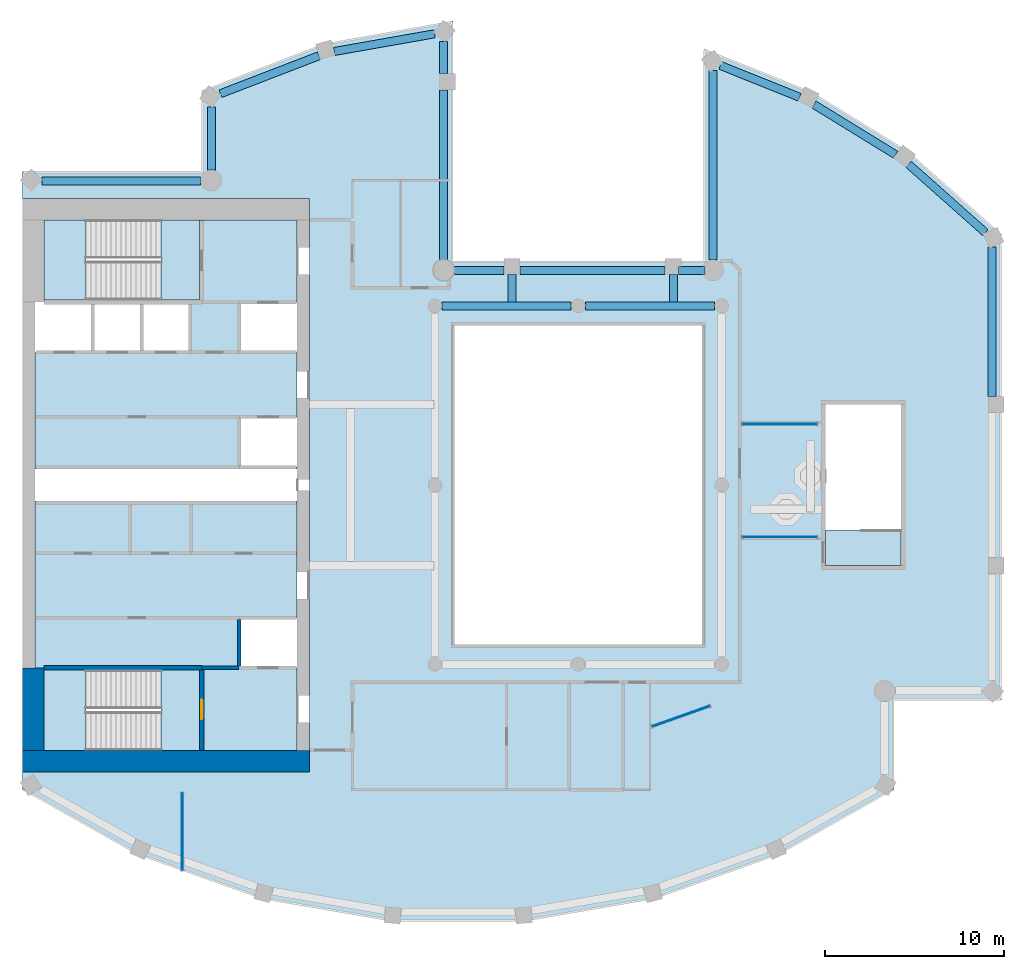
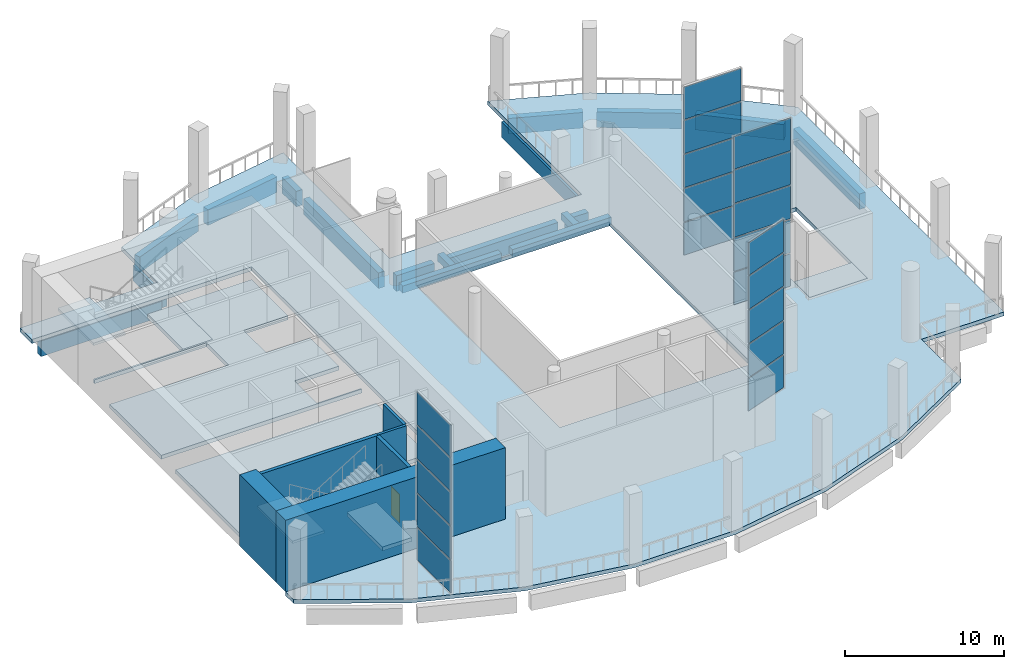
# One storey, part 4 of 12: 20 plates, 18 beams, 8 slabs, 6 walls, 1 door, 1 opening, 6 elements without a shape of their own.
"""IFC4 building model written with IfcOpenShell, lengths in metres."""

from ifc_helpers import new_model, si_unit, direction, frame, frame_2d, origin, origin_2d, place, context, subcontext, project, spatial, polyline, rectangle, outline, extrude, material, layer, layer_set, material_profile, profile_set, type_object, element, fill, aggregate, save


model = new_model("IFC4")

# Units and contexts
model_context = context("Model", 3, precision=1e-05, world=origin(), true_north=direction((0.0, 1.0)))
body_context = subcontext(model_context, "Body", "Model", "MODEL_VIEW")
ifc_project = project(units=[si_unit("LENGTHUNIT", "METRE"), si_unit("AREAUNIT", "SQUARE_METRE"), si_unit("VOLUMEUNIT", "CUBIC_METRE"), si_unit("PLANEANGLEUNIT", "RADIAN"), si_unit("MASSUNIT", "GRAM", prefix="KILO")], contexts=[model_context])

# Site, building, storey
site_placement = place(None, origin())
site = spatial("IfcSite", under=ifc_project, at=site_placement, CompositionType="ELEMENT")
building_placement = place(site_placement, origin())
building = spatial("IfcBuilding", under=site, at=building_placement, Name="Cypress Arch Tower", CompositionType="ELEMENT")
storey_placement = place(building_placement, frame((0.0, 0.0, 329.5)))
storey = spatial("IfcBuildingStorey", under=building, at=storey_placement, Name="L75", CompositionType="ELEMENT", Elevation=329.5)

# Beams
ifc_material_1 = material(Name="Concrete C50/60", Category="concrete")
ifc_material_profile_1 = material_profile(ifc_material_1, rectangle(XDim=0.449951171875, YDim=0.550048828125, at=origin_2d()), Name="RC 450x550")
ifc_profile_set_1 = profile_set([ifc_material_profile_1], Name="Concrete C50/60")
beam_type_1 = type_object("IfcBeamType", Name="Floor beam RC 450x550 Concrete C50/60", PredefinedType="BEAM", material=ifc_profile_set_1)
for number, where, z_axis, x_axis, name in (
    (1, (-6.60009765625, 10.0, -0.574951171875), (1.0, 0.0, 0.0), (0.0, 1.0, 0.0), "Floor beam L75 RB007"),
    (2, (1.39990234375, 10.0, -0.574951171875), (1.0, 0.0, 0.0), (0.0, 1.0, 0.0), "Floor beam L75 RB008"),
):
    element("IfcBeam", number, at=place(storey_placement, frame(where, z_axis=z_axis, x_axis=x_axis)), inside=storey, type_object=beam_type_1, Name=name, PredefinedType="BEAM", context=body_context, shape_type="SweptSolid", body=[
        extrude(rectangle(XDim=0.449951171875, YDim=0.550048828125, at=origin_2d()), origin(), (0.0, 0.0, 1.0), 7.2001953125),
    ])
for number, where, z_axis, x_axis, name in (
    (3, (-2.699951171875, 10.22509765625, -0.574951171875), (0.0, 1.0, 0.0), (-1.0, 0.0, 0.0), "Floor beam L75 FB012"),
    (4, (6.300048828125, 10.22509765625, -0.574951171875), (0.0, 1.0, 0.0), (-1.0, 0.0, 0.0), "Floor beam L75 FB013"),
):
    element("IfcBeam", number, at=place(storey_placement, frame(where, z_axis=z_axis, x_axis=x_axis)), inside=storey, type_object=beam_type_1, Name=name, PredefinedType="BEAM", context=body_context, shape_type="SweptSolid", body=[
        extrude(rectangle(XDim=0.449951171875, YDim=0.550048828125, at=origin_2d()), origin(), (0.0, 0.0, 1.0), 1.52490234375),
    ])
ifc_material_2 = material(Name="Concrete C50/60", Category="concrete")
ifc_material_profile_2 = material_profile(ifc_material_2, rectangle(XDim=0.449951171875, YDim=1.199951171875, at=origin_2d()), Name="RC 450x1200")
ifc_profile_set_2 = profile_set([ifc_material_profile_2], Name="Concrete C50/60")
beam_type_2 = type_object("IfcBeamType", Name="Spandrel beam RC 450x1200 Concrete C50/60", PredefinedType="SPANDREL", material=ifc_profile_set_2)
beam_1_placement = place(storey_placement, frame((8.52490234375, 23.138427734375, -1.550048828125), z_axis=(0.0, -1.0, 0.0), x_axis=(1.0, 0.0, 0.0)))
element("IfcBeam", 5, at=beam_1_placement, inside=storey, type_object=beam_type_2, Name="Spandrel beam L75 BC00-0", PredefinedType="SPANDREL", context=body_context, shape_type="SweptSolid", body=[
    extrude(rectangle(XDim=0.449951171875, YDim=1.199951171875, at=origin_2d()), origin(), (0.0, 0.0, 1.0), 10.55078125),
])
beam_2_placement = place(storey_placement, frame((8.081298828125, 11.97509765625, -1.550048828125), z_axis=(-1.0, 0.0, 0.0), x_axis=(0.0, -1.0, 0.0)))
element("IfcBeam", 6, at=beam_2_placement, inside=storey, type_object=beam_type_2, Name="Spandrel beam L75 BC01-0", PredefinedType="SPANDREL", context=body_context, shape_type="SweptSolid", body=[
    extrude(rectangle(XDim=0.449951171875, YDim=1.199951171875, at=origin_2d()), origin(), (0.0, 0.0, 1.0), 1.5),
])
beam_3_placement = place(storey_placement, frame((5.85009765625, 11.97509765625, -1.550048828125), z_axis=(-1.0, 0.0, 0.0), x_axis=(0.0, -1.0, 0.0)))
element("IfcBeam", 7, at=beam_3_placement, inside=storey, type_object=beam_type_2, Name="Spandrel beam L75 BC01-1", PredefinedType="SPANDREL", context=body_context, shape_type="SweptSolid", body=[
    extrude(rectangle(XDim=0.449951171875, YDim=1.199951171875, at=origin_2d()), origin(), (0.0, 0.0, 1.0), 8.10009765625),
])
beam_4_placement = place(storey_placement, frame((-3.14990234375, 11.97509765625, -1.550048828125), z_axis=(-1.0, 0.0, 0.0), x_axis=(0.0, -1.0, 0.0)))
element("IfcBeam", 8, at=beam_4_placement, inside=storey, type_object=beam_type_2, Name="Spandrel beam L75 BC01-2", PredefinedType="SPANDREL", context=body_context, shape_type="SweptSolid", body=[
    extrude(rectangle(XDim=0.449951171875, YDim=1.199951171875, at=origin_2d()), origin(), (0.0, 0.0, 1.0), 2.762451171875),
])
beam_5_placement = place(storey_placement, frame((-6.52490234375, 12.587646484375, -1.550048828125), z_axis=(0.0, 1.0, 0.0), x_axis=(-1.0, 0.0, 0.0)))
element("IfcBeam", 9, at=beam_5_placement, inside=storey, type_object=beam_type_2, Name="Spandrel beam L75 BC02-0", PredefinedType="SPANDREL", context=body_context, shape_type="SweptSolid", body=[
    extrude(rectangle(XDim=0.449951171875, YDim=1.199951171875, at=origin_2d()), origin(), (0.0, 0.0, 1.0), 9.46240234375),
])
beam_6_placement = place(storey_placement, frame((-6.52490234375, 22.949951171875, -1.550048828125), z_axis=(0.0, 1.0, 0.0), x_axis=(-1.0, 0.0, 0.0)))
element("IfcBeam", 10, at=beam_6_placement, inside=storey, type_object=beam_type_2, Name="Spandrel beam L75 BC02-1", PredefinedType="SPANDREL", context=body_context, shape_type="SweptSolid", body=[
    extrude(rectangle(XDim=0.449951171875, YDim=1.199951171875, at=origin_2d()), origin(), (0.0, 0.0, 1.0), 1.810302734375),
])
beam_7_placement = place(storey_placement, frame((-7.021484375, 25.1767578125, -1.550048828125), z_axis=(-0.984798704294, -0.173699487682, 0.0), x_axis=(0.173699487682, -0.984798704294, 0.0)))
element("IfcBeam", 11, at=beam_7_placement, inside=storey, type_object=beam_type_2, Name="Spandrel beam L75 BC03-0", PredefinedType="SPANDREL", context=body_context, shape_type="SweptSolid", body=[
    extrude(rectangle(XDim=0.449951171875, YDim=1.199951171875, at=origin_2d()), origin(), (0.0, 0.0, 1.0), 5.678466796875),
])
beam_8_placement = place(storey_placement, frame((-13.48046875, 23.94921875, -1.550048828125), z_axis=(-0.933138853319, -0.359516175472, 0.0), x_axis=(0.359516175472, -0.933138853319, 0.0)))
element("IfcBeam", 12, at=beam_8_placement, inside=storey, type_object=beam_type_2, Name="Spandrel beam L75 BC04-0", PredefinedType="SPANDREL", context=body_context, shape_type="SweptSolid", body=[
    extrude(rectangle(XDim=0.449951171875, YDim=1.199951171875, at=origin_2d()), origin(), (0.0, 0.0, 1.0), 5.878173828125),
])
beam_9_placement = place(storey_placement, frame((-19.47509765625, 21.09375, -1.550048828125), z_axis=(0.0, -1.0, 0.0), x_axis=(1.0, 0.0, 0.0)))
element("IfcBeam", 13, at=beam_9_placement, inside=storey, type_object=beam_type_2, Name="Spandrel beam L75 BC05-0", PredefinedType="SPANDREL", context=body_context, shape_type="SweptSolid", body=[
    extrude(rectangle(XDim=0.449951171875, YDim=1.199951171875, at=origin_2d()), origin(), (0.0, 0.0, 1.0), 3.506103515625),
])
beam_10_placement = place(storey_placement, frame((-20.087646484375, 16.97509765625, -1.550048828125), z_axis=(-1.0, 0.0, 0.0), x_axis=(0.0, -1.0, 0.0)))
element("IfcBeam", 14, at=beam_10_placement, inside=storey, type_object=beam_type_2, Name="Spandrel beam L75 BC06-0", PredefinedType="SPANDREL", context=body_context, shape_type="SweptSolid", body=[
    extrude(rectangle(XDim=0.449951171875, YDim=1.199951171875, at=origin_2d()), origin(), (0.0, 0.0, 1.0), 8.828125),
])
beam_11_placement = place(storey_placement, frame((24.074951171875, 4.949951171875, -1.550048828125), z_axis=(0.0, 1.0, 0.0), x_axis=(-1.0, 0.0, 0.0)))
element("IfcBeam", 15, at=beam_11_placement, inside=storey, type_object=beam_type_2, Name="Spandrel beam L75 BC17-2", PredefinedType="SPANDREL", context=body_context, shape_type="SweptSolid", body=[
    extrude(rectangle(XDim=0.449951171875, YDim=1.199951171875, at=origin_2d()), origin(), (0.0, 0.0, 1.0), 8.32080078125),
])
beam_12_placement = place(storey_placement, frame((23.706298828125, 14.091796875, -1.550048828125), z_axis=(-0.747555073917, 0.664199827959, 0.0), x_axis=(-0.664199827959, -0.747555073917, 0.0)))
element("IfcBeam", 16, at=beam_12_placement, inside=storey, type_object=beam_type_2, Name="Spandrel beam L75 BC18-0", PredefinedType="SPANDREL", context=body_context, shape_type="SweptSolid", body=[
    extrude(rectangle(XDim=0.449951171875, YDim=1.199951171875, at=origin_2d()), origin(), (0.0, 0.0, 1.0), 5.72900390625),
])
beam_13_placement = place(storey_placement, frame((18.700927734375, 18.43359375, -1.550048828125), z_axis=(-0.851880940975, 0.523735488966, 0.0), x_axis=(-0.523735488966, -0.851880940975, 0.0)))
element("IfcBeam", 17, at=beam_13_placement, inside=storey, type_object=beam_type_2, Name="Spandrel beam L75 BC19-0", PredefinedType="SPANDREL", context=body_context, shape_type="SweptSolid", body=[
    extrude(rectangle(XDim=0.449951171875, YDim=1.199951171875, at=origin_2d()), origin(), (0.0, 0.0, 1.0), 5.344970703125),
])
beam_14_placement = place(storey_placement, frame((13.343994140625, 21.6376953125, -1.550048828125), z_axis=(-0.927944947452, 0.372717284948, 0.0), x_axis=(-0.372717284948, -0.927944947452, 0.0)))
element("IfcBeam", 18, at=beam_14_placement, inside=storey, type_object=beam_type_2, Name="Spandrel beam L75 BC20-0", PredefinedType="SPANDREL", context=body_context, shape_type="SweptSolid", body=[
    extrude(rectangle(XDim=0.449951171875, YDim=1.199951171875, at=origin_2d()), origin(), (0.0, 0.0, 1.0), 4.758056640625),
])

# Slabs
ifc_material_3 = material(Name="Concrete C40/50", Category="concrete")
ifc_layer_1 = layer(ifc_material_3, 0.300048828125)
ifc_layer_set_1 = layer_set([ifc_layer_1], Name="Core floor CF300")
slab_type_1 = type_object("IfcSlabType", Name="Core floor CF300", PredefinedType="FLOOR", material=ifc_layer_set_1)
slab_1_placement = place(storey_placement, frame((0.0, 0.0, -0.300048828125)))
element("IfcSlab", 19, at=slab_1_placement, inside=storey, type_object=slab_type_1, Name="Core floor", PredefinedType="FLOOR", context=body_context, shape_type="SweptSolid", body=[
    extrude(outline(polyline([(-28.89990234375, -10.199951171875), (-29.300048828125, -10.199951171875), (-29.300048828125, -0.89990234375), (-28.89990234375, -0.89990234375), (-15.10009765625, -0.89990234375), (-14.699951171875, -0.89990234375), (-14.699951171875, -7.39990234375), (-15.10009765625, -7.39990234375), (-17.919921875, -7.39990234375), (-17.919921875, -10.199951171875), (-15.10009765625, -10.199951171875), (-14.699951171875, -10.199951171875), (-14.699951171875, -14.800048828125), (-15.10009765625, -14.800048828125), (-20.125, -14.800048828125), (-20.125, -10.324951171875), (-22.27490234375, -10.324951171875), (-28.800048828125, -10.324951171875), (-28.800048828125, -10.199951171875), (-28.89990234375, -10.199951171875)])), origin(), (0.0, 0.0, 1.0), 0.300048828125),
])
slab_2_placement = place(storey_placement, frame((0.0, 0.0, -0.300048828125)))
element("IfcSlab", 20, at=slab_2_placement, inside=storey, type_object=slab_type_1, Name="Core floor", PredefinedType="FLOOR", context=body_context, shape_type="SweptSolid", body=[
    extrude(outline(polyline([(-22.27490234375, -10.324951171875), (-22.27490234375, -14.800048828125), (-20.125, -14.800048828125), (-20.125, -10.324951171875), (-22.27490234375, -10.324951171875)])), origin(), (0.0, 0.0, 1.0), 0.300048828125),
])
slab_3_placement = place(storey_placement, frame((0.0, 0.0, -0.300048828125)))
element("IfcSlab", 21, at=slab_3_placement, inside=storey, type_object=slab_type_1, Name="Core floor", PredefinedType="FLOOR", context=body_context, shape_type="SweptSolid", body=[
    extrude(outline(polyline([(-20.125, 14.800048828125), (-22.27490234375, 14.800048828125), (-22.27490234375, 10.324951171875), (-20.125, 10.324951171875), (-20.125, 14.800048828125)])), origin(), (0.0, 0.0, 1.0), 0.300048828125),
])
slab_4_placement = place(storey_placement, frame((0.0, 0.0, -0.300048828125)))
element("IfcSlab", 22, at=slab_4_placement, inside=storey, type_object=slab_type_1, Name="Stair floor landing", PredefinedType="FLOOR", context=body_context, shape_type="SweptSolid", body=[
    extrude(outline(polyline([(19.0, -4.5), (19.0, -2.5), (14.800048828125, -2.5), (14.800048828125, -4.5), (19.0, -4.5)])), origin(), (0.0, 0.0, 1.0), 0.300048828125),
])
slab_5_placement = place(storey_placement, frame((0.0, 0.0, -0.300048828125)))
element("IfcSlab", 23, at=slab_5_placement, inside=storey, type_object=slab_type_1, Name="Core floor", PredefinedType="FLOOR", context=body_context, shape_type="SweptSolid", body=[
    extrude(outline(polyline([(-20.639892578125, 10.199951171875), (-23.360107421875, 10.199951171875), (-26.080078125, 10.199951171875), (-28.800048828125, 10.199951171875), (-28.800048828125, 10.324951171875), (-22.27490234375, 10.324951171875), (-20.125, 10.324951171875), (-20.125, 14.800048828125), (-15.10009765625, 14.800048828125), (-14.699951171875, 14.800048828125), (-14.699951171875, 10.199951171875), (-15.10009765625, 10.199951171875), (-17.919921875, 10.199951171875), (-17.919921875, 7.39990234375), (-15.10009765625, 7.39990234375), (-14.699951171875, 7.39990234375), (-14.699951171875, 3.800048828125), (-15.10009765625, 3.800048828125), (-17.919921875, 3.800048828125), (-17.919921875, 1.5), (-17.919921875, 1.0), (-17.5, 1.0), (-15.10009765625, 1.0), (-14.699951171875, 1.0), (-14.699951171875, 0.89990234375), (-15.10009765625, 0.89990234375), (-17.5, 0.89990234375), (-18.300048828125, 0.89990234375), (-28.89990234375, 0.89990234375), (-29.300048828125, 0.89990234375), (-29.300048828125, 1.5), (-29.300048828125, 7.39990234375), (-28.89990234375, 7.39990234375), (-26.080078125, 7.39990234375), (-23.360107421875, 7.39990234375), (-20.639892578125, 7.39990234375), (-20.639892578125, 10.199951171875)])), origin(), (0.0, 0.0, 1.0), 0.300048828125),
])

# Curtain wall, plates
ifc_material_4 = material(Name="Anodised aluminium, bronze finish, solar control laminated double glazing", Category="aluminium")
curtain_wall_type = type_object("IfcCurtainWallType", Name="Curtain wall CW5 observation lounge wall", PredefinedType="NOTDEFINED", material=ifc_material_4)
curtain_wall_1_placement = place(storey_placement, origin())
curtain_wall_1 = element("IfcCurtainWall", 24, at=curtain_wall_1_placement, inside=storey, type_object=curtain_wall_type, Name="Curtain wall L75 E0.1.1", PredefinedType="NOTDEFINED")
ifc_material_5 = material(Name="Solar control laminated double glazing", Category="glass")
ifc_layer_2 = layer(ifc_material_5, 0.048095703125)
ifc_layer_set_2 = layer_set([ifc_layer_2], Name="Glass panel CW5 48")
plate_type = type_object("IfcPlateType", Name="Glass panel CW5 48", PredefinedType="CURTAIN_PANEL", material=ifc_layer_set_2)
plate_1_placement = place(storey_placement, frame((12.25, 3.39990234375, 0.0849609375), z_axis=(0.0, 0.0, 1.0), x_axis=(1.0, 0.0, 0.0)))
plate_1 = element("IfcPlate", 25, at=plate_1_placement, type_object=plate_type, Name="CW5 panel 1.1", PredefinedType="CURTAIN_PANEL", context=body_context, shape_type="SweptSolid", body=[
    extrude(rectangle(XDim=4.1298828125, YDim=0.048095703125, at=origin_2d()), origin(), (0.0, 0.0, 1.0), 2.492431640625),
])
plate_2_placement = place(storey_placement, frame((12.25, 3.39990234375, 2.66259765625), z_axis=(0.0, 0.0, 1.0), x_axis=(1.0, 0.0, 0.0)))
plate_2 = element("IfcPlate", 26, at=plate_2_placement, type_object=plate_type, Name="CW5 panel 1.2", PredefinedType="CURTAIN_PANEL", context=body_context, shape_type="SweptSolid", body=[
    extrude(rectangle(XDim=4.1298828125, YDim=0.048095703125, at=origin_2d()), origin(), (0.0, 0.0, 1.0), 2.534912109375),
])
plate_3_placement = place(storey_placement, frame((12.25, 3.39990234375, 5.28271484375), z_axis=(0.0, 0.0, 1.0), x_axis=(1.0, 0.0, 0.0)))
plate_3 = element("IfcPlate", 27, at=plate_3_placement, type_object=plate_type, Name="CW5 panel 1.3", PredefinedType="CURTAIN_PANEL", context=body_context, shape_type="SweptSolid", body=[
    extrude(rectangle(XDim=4.1298828125, YDim=0.048095703125, at=origin_2d()), origin(), (0.0, 0.0, 1.0), 2.534912109375),
])
plate_4_placement = place(storey_placement, frame((12.25, 3.39990234375, 7.90234375), z_axis=(0.0, 0.0, 1.0), x_axis=(1.0, 0.0, 0.0)))
plate_4 = element("IfcPlate", 28, at=plate_4_placement, type_object=plate_type, Name="CW5 panel 1.4", PredefinedType="CURTAIN_PANEL", context=body_context, shape_type="SweptSolid", body=[
    extrude(rectangle(XDim=4.1298828125, YDim=0.048095703125, at=origin_2d()), origin(), (0.0, 0.0, 1.0), 2.534912109375),
])
plate_5_placement = place(storey_placement, frame((12.25, 3.39990234375, 10.5224609375), z_axis=(0.0, 0.0, 1.0), x_axis=(1.0, 0.0, 0.0)))
plate_5 = element("IfcPlate", 29, at=plate_5_placement, type_object=plate_type, Name="CW5 panel 1.5", PredefinedType="CURTAIN_PANEL", context=body_context, shape_type="SweptSolid", body=[
    extrude(rectangle(XDim=4.1298828125, YDim=0.048095703125, at=origin_2d()), origin(), (0.0, 0.0, 1.0), 2.492431640625),
])
aggregate(curtain_wall_1, [plate_1, plate_2, plate_3, plate_4, plate_5])

curtain_wall_2_placement = place(storey_placement, origin())
curtain_wall_2 = element("IfcCurtainWall", 30, at=curtain_wall_2_placement, inside=storey, type_object=curtain_wall_type, Name="Curtain wall L75 E2.1.1", PredefinedType="NOTDEFINED")
plate_6_placement = place(storey_placement, frame((12.25, -2.89990234375, 0.0849609375), z_axis=(0.0, 0.0, 1.0), x_axis=(-1.0, 0.0, 0.0)))
plate_6 = element("IfcPlate", 31, at=plate_6_placement, type_object=plate_type, Name="CW5 panel 1.1", PredefinedType="CURTAIN_PANEL", context=body_context, shape_type="SweptSolid", body=[
    extrude(rectangle(XDim=4.1298828125, YDim=0.048095703125, at=origin_2d()), origin(), (0.0, 0.0, 1.0), 2.492431640625),
])
plate_7_placement = place(storey_placement, frame((12.25, -2.89990234375, 2.66259765625), z_axis=(0.0, 0.0, 1.0), x_axis=(-1.0, 0.0, 0.0)))
plate_7 = element("IfcPlate", 32, at=plate_7_placement, type_object=plate_type, Name="CW5 panel 1.2", PredefinedType="CURTAIN_PANEL", context=body_context, shape_type="SweptSolid", body=[
    extrude(rectangle(XDim=4.1298828125, YDim=0.048095703125, at=origin_2d()), origin(), (0.0, 0.0, 1.0), 2.534912109375),
])
plate_8_placement = place(storey_placement, frame((12.25, -2.89990234375, 5.28271484375), z_axis=(0.0, 0.0, 1.0), x_axis=(-1.0, 0.0, 0.0)))
plate_8 = element("IfcPlate", 33, at=plate_8_placement, type_object=plate_type, Name="CW5 panel 1.3", PredefinedType="CURTAIN_PANEL", context=body_context, shape_type="SweptSolid", body=[
    extrude(rectangle(XDim=4.1298828125, YDim=0.048095703125, at=origin_2d()), origin(), (0.0, 0.0, 1.0), 2.534912109375),
])
plate_9_placement = place(storey_placement, frame((12.25, -2.89990234375, 7.90234375), z_axis=(0.0, 0.0, 1.0), x_axis=(-1.0, 0.0, 0.0)))
plate_9 = element("IfcPlate", 34, at=plate_9_placement, type_object=plate_type, Name="CW5 panel 1.4", PredefinedType="CURTAIN_PANEL", context=body_context, shape_type="SweptSolid", body=[
    extrude(rectangle(XDim=4.1298828125, YDim=0.048095703125, at=origin_2d()), origin(), (0.0, 0.0, 1.0), 2.534912109375),
])
plate_10_placement = place(storey_placement, frame((12.25, -2.89990234375, 10.5224609375), z_axis=(0.0, 0.0, 1.0), x_axis=(-1.0, 0.0, 0.0)))
plate_10 = element("IfcPlate", 35, at=plate_10_placement, type_object=plate_type, Name="CW5 panel 1.5", PredefinedType="CURTAIN_PANEL", context=body_context, shape_type="SweptSolid", body=[
    extrude(rectangle(XDim=4.1298828125, YDim=0.048095703125, at=origin_2d()), origin(), (0.0, 0.0, 1.0), 2.492431640625),
])
aggregate(curtain_wall_2, [plate_6, plate_7, plate_8, plate_9, plate_10])

curtain_wall_3_placement = place(storey_placement, origin())
curtain_wall_3 = element("IfcCurtainWall", 36, at=curtain_wall_3_placement, inside=storey, type_object=curtain_wall_type, Name="Curtain wall L75 E5.1.1", PredefinedType="NOTDEFINED")
plate_11_placement = place(storey_placement, frame((6.733154296875, -12.8994140625, 0.0849609375), z_axis=(0.0, 0.0, 1.0), x_axis=(-0.94210993617, -0.335304142785, 0.0)))
plate_11 = element("IfcPlate", 37, at=plate_11_placement, type_object=plate_type, Name="CW5 panel 1.1", PredefinedType="CURTAIN_PANEL", context=body_context, shape_type="SweptSolid", body=[
    extrude(rectangle(XDim=3.3681640625, YDim=0.048095703125, at=origin_2d()), origin(), (0.0, 0.0, 1.0), 2.492431640625),
])
plate_12_placement = place(storey_placement, frame((6.733154296875, -12.8994140625, 2.66259765625), z_axis=(0.0, 0.0, 1.0), x_axis=(-0.94210993617, -0.335304142785, 0.0)))
plate_12 = element("IfcPlate", 38, at=plate_12_placement, type_object=plate_type, Name="CW5 panel 1.2", PredefinedType="CURTAIN_PANEL", context=body_context, shape_type="SweptSolid", body=[
    extrude(rectangle(XDim=3.3681640625, YDim=0.048095703125, at=origin_2d()), origin(), (0.0, 0.0, 1.0), 2.534912109375),
])
plate_13_placement = place(storey_placement, frame((6.733154296875, -12.8994140625, 5.28271484375), z_axis=(0.0, 0.0, 1.0), x_axis=(-0.94210993617, -0.335304142785, 0.0)))
plate_13 = element("IfcPlate", 39, at=plate_13_placement, type_object=plate_type, Name="CW5 panel 1.3", PredefinedType="CURTAIN_PANEL", context=body_context, shape_type="SweptSolid", body=[
    extrude(rectangle(XDim=3.3681640625, YDim=0.048095703125, at=origin_2d()), origin(), (0.0, 0.0, 1.0), 2.534912109375),
])
plate_14_placement = place(storey_placement, frame((6.733154296875, -12.8994140625, 7.90234375), z_axis=(0.0, 0.0, 1.0), x_axis=(-0.94210993617, -0.335304142785, 0.0)))
plate_14 = element("IfcPlate", 40, at=plate_14_placement, type_object=plate_type, Name="CW5 panel 1.4", PredefinedType="CURTAIN_PANEL", context=body_context, shape_type="SweptSolid", body=[
    extrude(rectangle(XDim=3.3681640625, YDim=0.048095703125, at=origin_2d()), origin(), (0.0, 0.0, 1.0), 2.534912109375),
])
plate_15_placement = place(storey_placement, frame((6.733154296875, -12.8994140625, 10.5224609375), z_axis=(0.0, 0.0, 1.0), x_axis=(-0.94210993617, -0.335304142785, 0.0)))
plate_15 = element("IfcPlate", 41, at=plate_15_placement, type_object=plate_type, Name="CW5 panel 1.5", PredefinedType="CURTAIN_PANEL", context=body_context, shape_type="SweptSolid", body=[
    extrude(rectangle(XDim=3.3681640625, YDim=0.048095703125, at=origin_2d()), origin(), (0.0, 0.0, 1.0), 2.492431640625),
])
aggregate(curtain_wall_3, [plate_11, plate_12, plate_13, plate_14, plate_15])

curtain_wall_4_placement = place(storey_placement, origin())
curtain_wall_4 = element("IfcCurtainWall", 42, at=curtain_wall_4_placement, inside=storey, type_object=curtain_wall_type, Name="Curtain wall L75 E11.1.1", PredefinedType="NOTDEFINED")
plate_16_placement = place(storey_placement, frame((-21.10009765625, -19.319091796875, 0.0849609375), z_axis=(0.0, 0.0, 1.0), x_axis=(0.0, -1.0, 0.0)))
plate_16 = element("IfcPlate", 43, at=plate_16_placement, type_object=plate_type, Name="CW5 panel 1.1", PredefinedType="CURTAIN_PANEL", context=body_context, shape_type="SweptSolid", body=[
    extrude(rectangle(XDim=4.268310546875, YDim=0.048095703125, at=origin_2d()), origin(), (0.0, 0.0, 1.0), 2.492431640625),
])
plate_17_placement = place(storey_placement, frame((-21.10009765625, -19.319091796875, 2.66259765625), z_axis=(0.0, 0.0, 1.0), x_axis=(0.0, -1.0, 0.0)))
plate_17 = element("IfcPlate", 44, at=plate_17_placement, type_object=plate_type, Name="CW5 panel 1.2", PredefinedType="CURTAIN_PANEL", context=body_context, shape_type="SweptSolid", body=[
    extrude(rectangle(XDim=4.268310546875, YDim=0.048095703125, at=origin_2d()), origin(), (0.0, 0.0, 1.0), 2.534912109375),
])
plate_18_placement = place(storey_placement, frame((-21.10009765625, -19.319091796875, 5.28271484375), z_axis=(0.0, 0.0, 1.0), x_axis=(0.0, -1.0, 0.0)))
plate_18 = element("IfcPlate", 45, at=plate_18_placement, type_object=plate_type, Name="CW5 panel 1.3", PredefinedType="CURTAIN_PANEL", context=body_context, shape_type="SweptSolid", body=[
    extrude(rectangle(XDim=4.268310546875, YDim=0.048095703125, at=origin_2d()), origin(), (0.0, 0.0, 1.0), 2.534912109375),
])
plate_19_placement = place(storey_placement, frame((-21.10009765625, -19.319091796875, 7.90234375), z_axis=(0.0, 0.0, 1.0), x_axis=(0.0, -1.0, 0.0)))
plate_19 = element("IfcPlate", 46, at=plate_19_placement, type_object=plate_type, Name="CW5 panel 1.4", PredefinedType="CURTAIN_PANEL", context=body_context, shape_type="SweptSolid", body=[
    extrude(rectangle(XDim=4.268310546875, YDim=0.048095703125, at=origin_2d()), origin(), (0.0, 0.0, 1.0), 2.534912109375),
])
plate_20_placement = place(storey_placement, frame((-21.10009765625, -19.319091796875, 10.5224609375), z_axis=(0.0, 0.0, 1.0), x_axis=(0.0, -1.0, 0.0)))
plate_20 = element("IfcPlate", 47, at=plate_20_placement, type_object=plate_type, Name="CW5 panel 1.5", PredefinedType="CURTAIN_PANEL", context=body_context, shape_type="SweptSolid", body=[
    extrude(rectangle(XDim=4.268310546875, YDim=0.048095703125, at=origin_2d()), origin(), (0.0, 0.0, 1.0), 2.492431640625),
])
aggregate(curtain_wall_4, [plate_16, plate_17, plate_18, plate_19, plate_20])

# Slab
ifc_material_6 = material(Name="Concrete C40/50", Category="concrete")
ifc_layer_3 = layer(ifc_material_6, 0.300048828125)
ifc_layer_set_3 = layer_set([ifc_layer_3], Name="PT flat slab 300 Concrete C40/50")
slab_type_2 = type_object("IfcSlabType", Name="PT flat slab 300 Concrete C40/50", PredefinedType="FLOOR", material=ifc_layer_set_3)
slab_6_placement = place(storey_placement, frame((0.0, 0.0, -0.300048828125)))
element("IfcSlab", 48, at=slab_6_placement, inside=storey, type_object=slab_type_2, Name="Floor slab L75", PredefinedType="FLOOR", context=body_context, shape_type="SweptSolid", body=[
    extrude(outline(polyline([(-30.0, 17.5), (-20.0, 17.5), (-20.0, 22.0), (-13.199951171875, 24.6201171875), (-6.0, 25.889892578125), (-6.0, 12.5), (8.0, 12.5), (8.0, 24.35009765625), (14.0, 21.93994140625), (19.39990234375, 18.6201171875), (24.60009765625, 14.0), (24.60009765625, -12.0), (18.60009765625, -12.0), (18.60009765625, -17.0), (12.179931640625, -20.6201171875), (5.239990234375, -23.090087890625), (-2.02001953125, -24.340087890625), (-9.3798828125, -24.340087890625), (-16.639892578125, -23.090087890625), (-23.580078125, -20.6201171875), (-30.0, -17.0), (-30.0, -16.0), (-14.0, -16.0), (-14.0, 16.0), (-30.0, 16.0), (-30.0, 17.5)]), holes=[polyline([(-6.0, -9.0), (8.0, -9.0), (8.0, 9.0), (-6.0, 9.0), (-6.0, -9.0)]), polyline([(14.800048828125, -4.5), (19.0, -4.5), (19.0, 4.5), (14.800048828125, 4.5), (14.800048828125, -4.5)])]), origin(), (0.0, 0.0, 1.0), 0.300048828125),
])

# Stair, slab
ifc_material_7 = material(Name="Concrete C40/50", Category="concrete")
stair_type = type_object("IfcStairType", Name="Exit stair ES1719-215", PredefinedType="HALF_TURN_STAIR", material=ifc_material_7)
stair_1_placement = place(storey_placement, origin())
stair_1 = element("IfcStair", 49, at=stair_1_placement, inside=storey, type_object=stair_type, Name="L75 Exit stair A", PredefinedType="HALF_TURN_STAIR")
ifc_material_8 = material(Name="Concrete C40/50", Category="concrete")
ifc_layer_4 = layer(ifc_material_8, 0.199951171875)
ifc_layer_set_4 = layer_set([ifc_layer_4], Name="Stair landing SL200")
slab_type_3 = type_object("IfcSlabType", Name="Stair landing SL200", PredefinedType="LANDING", material=ifc_layer_set_4)
slab_7_placement = place(storey_placement, frame((0.0, 0.0, 2.550048828125)))
slab_7 = element("IfcSlab", 50, at=slab_7_placement, type_object=slab_type_3, Name="A landing 1", PredefinedType="LANDING", context=body_context, shape_type="SweptSolid", body=[
    extrude(outline(polyline([(-26.47509765625, -10.324951171875), (-28.800048828125, -10.324951171875), (-28.800048828125, -14.800048828125), (-26.47509765625, -14.800048828125), (-26.47509765625, -10.324951171875)])), origin(), (0.0, 0.0, 1.0), 0.199951171875),
])
aggregate(stair_1, [slab_7])

stair_2_placement = place(storey_placement, origin())
stair_2 = element("IfcStair", 51, at=stair_2_placement, inside=storey, type_object=stair_type, Name="L75 Exit stair B", PredefinedType="HALF_TURN_STAIR")
slab_8_placement = place(storey_placement, frame((0.0, 0.0, 2.550048828125)))
slab_8 = element("IfcSlab", 52, at=slab_8_placement, type_object=slab_type_3, Name="B landing 1", PredefinedType="LANDING", context=body_context, shape_type="SweptSolid", body=[
    extrude(outline(polyline([(-26.47509765625, 14.800048828125), (-28.800048828125, 14.800048828125), (-28.800048828125, 10.324951171875), (-26.47509765625, 10.324951171875), (-26.47509765625, 14.800048828125)])), origin(), (0.0, 0.0, 1.0), 0.199951171875),
])
aggregate(stair_2, [slab_8])

# Walls
ifc_material_9 = material(Name="Concrete C60/75", Category="concrete")
ifc_layer_5 = layer(ifc_material_9, 1.199951171875)
ifc_layer_set_5 = layer_set([ifc_layer_5], Name="Core wall CW1200 C60/75")
wall_type_1 = type_object("IfcWallType", Name="Core wall CW1200 C60/75", PredefinedType="SHEAR", material=ifc_layer_set_5)
wall_1_placement = place(storey_placement, frame((-30.0, -15.39990234375, 0.0), z_axis=(0.0, 0.0, 1.0), x_axis=(1.0, 0.0, 0.0)))
element("IfcWall", 53, at=wall_1_placement, inside=storey, type_object=wall_type_1, Name="Core wall", PredefinedType="SHEAR", context=body_context, shape_type="SweptSolid", body=[
    extrude(rectangle(XDim=16.0, YDim=1.199951171875, at=frame_2d((8.0, 0.0))), origin(), (0.0, 0.0, 1.0), 5.5),
])
wall_2_placement = place(storey_placement, frame((-29.39990234375, -14.800048828125, 0.0), z_axis=(0.0, 0.0, 1.0), x_axis=(0.0, 1.0, 0.0)))
element("IfcWall", 54, at=wall_2_placement, inside=storey, type_object=wall_type_1, Name="Core wall", PredefinedType="SHEAR", context=body_context, shape_type="SweptSolid", body=[
    extrude(rectangle(XDim=4.60009765625, YDim=1.199951171875, at=frame_2d((2.300048828125, 0.0))), origin(), (0.0, 0.0, 1.0), 5.5),
])
ifc_material_10 = material(Name="Reinforced blockwork, plastered, rated", Category="masonry")
ifc_layer_6 = layer(ifc_material_10, 0.199951171875)
ifc_layer_set_6 = layer_set([ifc_layer_6], Name="Plant and riser wall PL200")
wall_type_2 = type_object("IfcWallType", Name="Plant and riser wall PL200", PredefinedType="PARTITIONING", material=ifc_layer_set_6)
wall_3_placement = place(storey_placement, frame((-20.0, -10.199951171875, 0.0), z_axis=(0.0, 0.0, 1.0), x_axis=(1.0, 0.0, 0.0)))
element("IfcWall", 55, at=wall_3_placement, inside=storey, type_object=wall_type_2, Name="Plant and riser wall", PredefinedType="PARTITIONING", context=body_context, shape_type="SweptSolid", body=[
    extrude(rectangle(XDim=2.080078125, YDim=0.199951171875, at=frame_2d((1.0400390625, 0.0))), origin(), (0.0, 0.0, 1.0), 5.097900390625),
])
ifc_material_11 = material(Name="Concrete C50/60", Category="concrete")
ifc_layer_7 = layer(ifc_material_11, 0.199951171875)
ifc_layer_set_7 = layer_set([ifc_layer_7], Name="Shaft wall SH200")
wall_type_3 = type_object("IfcWallType", Name="Shaft wall SH200", PredefinedType="SHEAR", material=ifc_layer_set_7)
wall_4_placement = place(storey_placement, frame((-17.919921875, -10.10009765625, 0.0), z_axis=(0.0, 0.0, 1.0), x_axis=(0.0, 1.0, 0.0)))
element("IfcWall", 56, at=wall_4_placement, inside=storey, type_object=wall_type_3, Name="Shaft wall", PredefinedType="SHEAR", context=body_context, shape_type="SweptSolid", body=[
    extrude(rectangle(XDim=2.60009765625, YDim=0.199951171875, at=frame_2d((1.300048828125, 0.0))), origin(), (0.0, 0.0, 1.0), 5.097900390625),
])
ifc_material_12 = material(Name="Concrete C50/60", Category="concrete")
ifc_layer_8 = layer(ifc_material_12, 0.25)
ifc_layer_set_8 = layer_set([ifc_layer_8], Name="Stair enclosure wall SW250")
wall_type_4 = type_object("IfcWallType", Name="Stair enclosure wall SW250", PredefinedType="SHEAR", material=ifc_layer_set_8)
wall_5_placement = place(storey_placement, frame((-28.81005859375, -10.199951171875, 0.0), z_axis=(0.0, 0.0, 1.0), x_axis=(1.0, 0.0, 0.0)))
element("IfcWall", 57, at=wall_5_placement, inside=storey, type_object=wall_type_4, Name="Stair enclosure wall", PredefinedType="SHEAR", context=body_context, shape_type="SweptSolid", body=[
    extrude(rectangle(XDim=8.81005859375, YDim=0.25, at=frame_2d((4.405029296875, 0.0))), origin(), (0.0, 0.0, 1.0), 5.097900390625),
])

# Wall, opening, door
wall_6_placement = place(storey_placement, frame((-20.0, -14.77001953125, 0.0), z_axis=(0.0, 0.0, 1.0), x_axis=(0.0, 1.0, 0.0)))
wall_6 = element("IfcWall", 58, at=wall_6_placement, inside=storey, type_object=wall_type_4, Name="Stair enclosure wall", PredefinedType="SHEAR", context=body_context, shape_type="SweptSolid", body=[
    extrude(rectangle(XDim=4.445068359375, YDim=0.25, at=frame_2d((2.22265625, 0.0))), origin(), (0.0, 0.0, 1.0), 5.097900390625),
])
opening_placement = place(wall_6_placement, frame((1.699951171875, 0.0, 0.0)))
opening = element("IfcOpeningElement", 59, at=opening_placement, cuts=wall_6, Name="Opening D06", PredefinedType="OPENING", context=body_context, shape_type="SweptSolid", body=[
    extrude(rectangle(XDim=1.10009765625, YDim=2.199951171875, at=frame_2d((0.550048828125, 1.10009765625))), frame((0.0, 0.135009765625, 0.0), z_axis=(0.0, -1.0, 0.0), x_axis=(1.0, 0.0, 0.0)), (0.0, 0.0, 1.0), 0.27001953125),
])
ifc_material_13 = material(Name="Steel door, fire resisting, panic bar", Category="steel")
door_type = type_object("IfcDoorType", Name="Stair door D06 1100x2200", OperationType="SINGLE_SWING_LEFT", PredefinedType="DOOR", material=ifc_material_13)
door_placement = place(opening_placement, origin())
door = element("IfcDoor", 60, at=door_placement, inside=storey, type_object=door_type, Name="Stair door", OperationType="SINGLE_SWING_RIGHT", OverallHeight=2.199951171875, OverallWidth=1.10009765625, PredefinedType="DOOR", context=body_context, shape_type="SweptSolid", body=[
    extrude(rectangle(XDim=1.10009765625, YDim=2.199951171875, at=frame_2d((0.550048828125, 1.10009765625))), frame((0.0, 0.02490234375, 0.0), z_axis=(0.0, -1.0, 0.0), x_axis=(1.0, 0.0, 0.0)), (0.0, 0.0, 1.0), 0.050048828125),
])
fill(opening, door)

save(model, "model.ifc")
